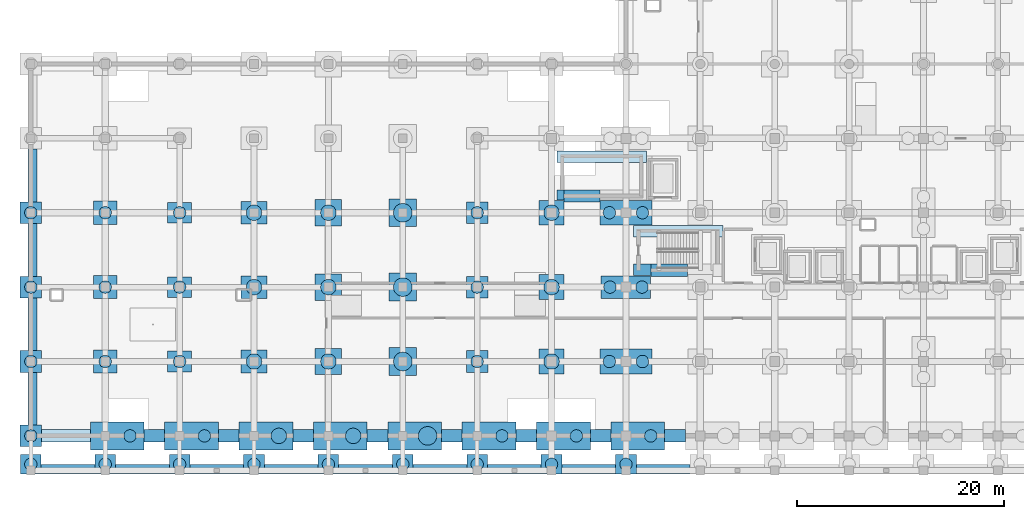
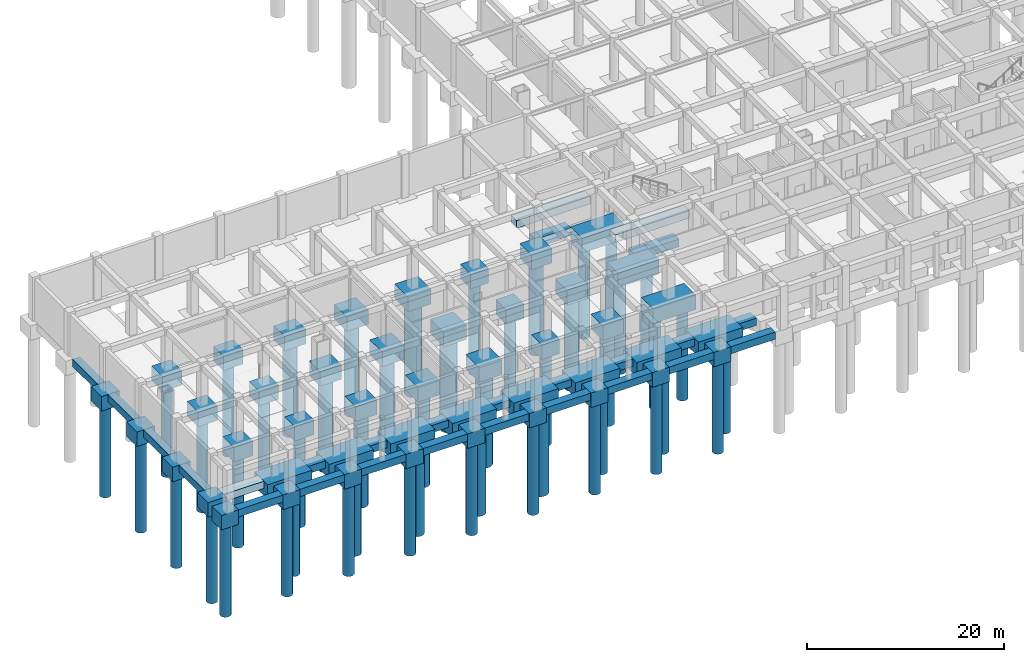
# One storey, part 1 of 26: 73 footings, 48 piles.
"""IFC4 building model written with IfcOpenShell, lengths in metres."""

from ifc_helpers import new_model, si_unit, direction, frame, origin, origin_2d, place, context, subcontext, project, spatial, polyline, rectangle, circle, outline, extrude, material, material_profile, profile_set, type_object, element, save


model = new_model("IFC4")

# Units and contexts
model_context = context("Model", 3, precision=1e-05, world=origin(), true_north=direction((0.0, 1.0)))
body_context = subcontext(model_context, "Body", "Model", "MODEL_VIEW")
ifc_project = project(units=[si_unit("LENGTHUNIT", "METRE"), si_unit("AREAUNIT", "SQUARE_METRE"), si_unit("VOLUMEUNIT", "CUBIC_METRE"), si_unit("PLANEANGLEUNIT", "RADIAN"), si_unit("MASSUNIT", "GRAM", prefix="KILO")], contexts=[model_context])

# Site, building, storey
site_placement = place(None, origin())
site = spatial("IfcSite", under=ifc_project, at=site_placement, CompositionType="ELEMENT")
building_placement = place(site_placement, origin())
building = spatial("IfcBuilding", under=site, at=building_placement, Name="Kazehaya Institute of Natural Sciences", CompositionType="ELEMENT")
storey_placement = place(building_placement, frame((0.0, 0.0, -5.39990234375)))
storey = spatial("IfcBuildingStorey", under=building, at=storey_placement, Name="B1", CompositionType="ELEMENT", Elevation=-5.39990234375)

# Footings
ifc_material = material(Name="Concrete Fc36", Category="concrete")
footing_type_1 = type_object("IfcFootingType", Name="FT-PAD01", PredefinedType="PAD_FOOTING", material=ifc_material)
footing_1_placement = place(storey_placement, frame((0.0, 0.0, -0.9501953125)))
element("IfcFooting", 1, at=footing_1_placement, inside=storey, type_object=footing_type_1, Name="Core ST-1 pad footing S seg 1", PredefinedType="PAD_FOOTING", context=body_context, shape_type="SweptSolid", body=[
    extrude(outline(polyline([(64.219970703125, 22.219970703125), (67.780029296875, 22.219970703125), (67.780029296875, 23.419921875), (64.219970703125, 23.419921875), (64.219970703125, 22.219970703125)])), origin(), (0.0, 0.0, 1.0), 0.9501953125),
])
footing_2_placement = place(storey_placement, frame((0.0, 0.0, -0.9501953125)))
element("IfcFooting", 2, at=footing_2_placement, inside=storey, type_object=footing_type_1, Name="Core ST-1 pad footing S seg 3", PredefinedType="PAD_FOOTING", context=body_context, shape_type="SweptSolid", body=[
    extrude(outline(polyline([(62.52001953125, 22.320068359375), (64.219970703125, 22.320068359375), (64.219970703125, 23.419921875), (62.52001953125, 23.419921875), (62.52001953125, 22.320068359375)])), origin(), (0.0, 0.0, 1.0), 0.9501953125),
])
footing_3_placement = place(storey_placement, frame((0.0, 0.0, -0.9501953125)))
element("IfcFooting", 3, at=footing_3_placement, inside=storey, type_object=footing_type_1, Name="Core ST-1 pad footing N", PredefinedType="PAD_FOOTING", context=body_context, shape_type="SweptSolid", body=[
    extrude(outline(polyline([(62.52001953125, 26.06005859375), (71.179931640625, 26.06005859375), (71.179931640625, 27.179931640625), (62.52001953125, 27.179931640625), (62.52001953125, 26.06005859375)])), origin(), (0.0, 0.0, 1.0), 0.9501953125),
])
footing_4_placement = place(storey_placement, frame((0.0, 0.0, -0.9501953125)))
element("IfcFooting", 4, at=footing_4_placement, inside=storey, type_object=footing_type_1, Name="Core ST-4 pad footing S seg 1", PredefinedType="PAD_FOOTING", context=body_context, shape_type="SweptSolid", body=[
    extrude(outline(polyline([(55.820068359375, 29.419921875), (59.280029296875, 29.419921875), (59.280029296875, 30.6201171875), (55.820068359375, 30.6201171875), (55.820068359375, 29.419921875)])), origin(), (0.0, 0.0, 1.0), 0.9501953125),
])
footing_5_placement = place(storey_placement, frame((0.0, 0.0, -0.9501953125)))
element("IfcFooting", 5, at=footing_5_placement, inside=storey, type_object=footing_type_1, Name="Core ST-4 pad footing S seg 2", PredefinedType="PAD_FOOTING", context=body_context, shape_type="SweptSolid", body=[
    extrude(outline(polyline([(55.1201171875, 29.6201171875), (55.820068359375, 29.6201171875), (55.820068359375, 30.6201171875), (55.1201171875, 30.6201171875), (55.1201171875, 29.6201171875)])), origin(), (0.0, 0.0, 1.0), 0.9501953125),
])
footing_6_placement = place(storey_placement, frame((0.0, 0.0, -0.9501953125)))
element("IfcFooting", 6, at=footing_6_placement, inside=storey, type_object=footing_type_1, Name="Core ST-4 pad footing N", PredefinedType="PAD_FOOTING", context=body_context, shape_type="SweptSolid", body=[
    extrude(outline(polyline([(55.1201171875, 33.260009765625), (63.780029296875, 33.260009765625), (63.780029296875, 34.3798828125), (55.1201171875, 34.3798828125), (55.1201171875, 33.260009765625)])), origin(), (0.0, 0.0, 1.0), 0.9501953125),
])
footing_type_2 = type_object("IfcFootingType", Name="FT-PC01", PredefinedType="PILE_CAP", material=ifc_material)
for number, where, z_axis, x_axis, name in (
    (7, (4.199951171875, 6.800048828125, -1.80029296875), (0.0, 0.0, 1.0), (1.0, 0.0, 0.0), "Pile cap CAP-025"),
    (8, (4.199951171875, 14.0, -1.80029296875), (0.0, 0.0, 1.0), (1.0, 0.0, 0.0), "Pile cap CAP-049"),
    (9, (47.39990234375, 14.0, -1.80029296875), (0.0, 0.0, 1.0), (1.0, 0.0, 0.0), "Pile cap CAP-055"),
    (10, (4.199951171875, 21.199951171875, -1.80029296875), (0.0, 0.0, 1.0), (1.0, 0.0, 0.0), "Pile cap CAP-073"),
    (11, (47.39990234375, 21.199951171875, -1.80029296875), (0.0, 0.0, 1.0), (1.0, 0.0, 0.0), "Pile cap CAP-079"),
    (12, (4.199951171875, 28.39990234375, -1.80029296875), (0.0, 0.0, 1.0), (1.0, 0.0, 0.0), "Pile cap CAP-097"),
    (13, (47.39990234375, 28.39990234375, -1.80029296875), (0.0, 0.0, 1.0), (1.0, 0.0, 0.0), "Pile cap CAP-103"),
):
    element("IfcFooting", number, at=place(storey_placement, frame(where, z_axis=z_axis, x_axis=x_axis)), inside=storey, type_object=footing_type_2, Name=name, PredefinedType="PILE_CAP", context=body_context, shape_type="SweptSolid", body=[
        extrude(rectangle(XDim=2.10009765625, YDim=2.10009765625, at=origin_2d()), origin(), (0.0, 0.0, 1.0), 1.800048828125),
    ])
footing_type_3 = type_object("IfcFootingType", Name="FT-PC02", PredefinedType="PILE_CAP", material=ifc_material)
for number, where, z_axis, x_axis, name in (
    (14, (54.60009765625, 14.0, -1.80029296875), (0.0, 0.0, 1.0), (1.0, 0.0, 0.0), "Pile cap CAP-056"),
    (15, (54.60009765625, 21.199951171875, -1.80029296875), (0.0, 0.0, 1.0), (1.0, 0.0, 0.0), "Pile cap CAP-080"),
    (16, (54.60009765625, 28.39990234375, -1.80029296875), (0.0, 0.0, 1.0), (1.0, 0.0, 0.0), "Pile cap CAP-104"),
):
    element("IfcFooting", number, at=place(storey_placement, frame(where, z_axis=z_axis, x_axis=x_axis)), inside=storey, type_object=footing_type_3, Name=name, PredefinedType="PILE_CAP", context=body_context, shape_type="SweptSolid", body=[
        extrude(rectangle(XDim=2.39990234375, YDim=2.39990234375, at=origin_2d()), origin(), (0.0, 0.0, 1.0), 1.800048828125),
    ])
footing_type_4 = type_object("IfcFootingType", Name="FT-PC03", PredefinedType="PILE_CAP", material=ifc_material)
footing_7_placement = place(storey_placement, frame((61.800048828125, 21.199951171875, -1.80029296875), z_axis=(0.0, 0.0, 1.0), x_axis=(1.0, 0.0, 0.0)))
element("IfcFooting", 17, at=footing_7_placement, inside=storey, type_object=footing_type_4, Name="Pile cap CAP-081", PredefinedType="PILE_CAP", context=body_context, shape_type="SweptSolid", body=[
    extrude(rectangle(XDim=4.800048828125, YDim=2.199951171875, at=origin_2d()), origin(), (0.0, 0.0, 1.0), 1.800048828125),
])
footing_type_5 = type_object("IfcFootingType", Name="FT-PC05", PredefinedType="PILE_CAP", material=ifc_material)
for number, where, z_axis, x_axis, name in (
    (18, (4.199951171875, 4.050048828125, -1.80029296875), (0.0, 0.0, 1.0), (1.0, 0.0, 0.0), "Pile cap CAP-001"),
    (19, (11.39990234375, 4.050048828125, -1.80029296875), (0.0, 0.0, 1.0), (1.0, 0.0, 0.0), "Pile cap CAP-002"),
    (20, (18.60009765625, 4.050048828125, -1.80029296875), (0.0, 0.0, 1.0), (1.0, 0.0, 0.0), "Pile cap CAP-003"),
    (21, (25.800048828125, 4.050048828125, -1.80029296875), (0.0, 0.0, 1.0), (1.0, 0.0, 0.0), "Pile cap CAP-004"),
    (22, (33.0, 4.050048828125, -1.80029296875), (0.0, 0.0, 1.0), (1.0, 0.0, 0.0), "Pile cap CAP-005"),
    (23, (40.199951171875, 4.050048828125, -1.80029296875), (0.0, 0.0, 1.0), (1.0, 0.0, 0.0), "Pile cap CAP-006"),
    (24, (47.39990234375, 4.050048828125, -1.80029296875), (0.0, 0.0, 1.0), (1.0, 0.0, 0.0), "Pile cap CAP-007"),
    (25, (54.60009765625, 4.050048828125, -1.80029296875), (0.0, 0.0, 1.0), (1.0, 0.0, 0.0), "Pile cap CAP-008"),
    (26, (61.800048828125, 4.050048828125, -1.80029296875), (0.0, 0.0, 1.0), (1.0, 0.0, 0.0), "Pile cap CAP-009"),
):
    element("IfcFooting", number, at=place(storey_placement, frame(where, z_axis=z_axis, x_axis=x_axis)), inside=storey, type_object=footing_type_5, Name=name, PredefinedType="PILE_CAP", context=body_context, shape_type="SweptSolid", body=[
        extrude(rectangle(XDim=2.0, YDim=1.89990234375, at=origin_2d()), origin(), (0.0, 0.0, 1.0), 1.800048828125),
    ])
footing_type_6 = type_object("IfcFootingType", Name="FT-PC06", PredefinedType="PILE_CAP", material=ifc_material)
for number, where, z_axis, x_axis, name in (
    (27, (11.39990234375, 14.0, -1.80029296875), (0.0, 0.0, 1.0), (1.0, 0.0, 0.0), "Pile cap CAP-050"),
    (28, (11.39990234375, 21.199951171875, -1.80029296875), (0.0, 0.0, 1.0), (1.0, 0.0, 0.0), "Pile cap CAP-074"),
    (29, (11.39990234375, 28.39990234375, -1.80029296875), (0.0, 0.0, 1.0), (1.0, 0.0, 0.0), "Pile cap CAP-098"),
):
    element("IfcFooting", number, at=place(storey_placement, frame(where, z_axis=z_axis, x_axis=x_axis)), inside=storey, type_object=footing_type_6, Name=name, PredefinedType="PILE_CAP", context=body_context, shape_type="SweptSolid", body=[
        extrude(rectangle(XDim=2.25, YDim=2.25, at=origin_2d()), origin(), (0.0, 0.0, 1.0), 1.800048828125),
    ])
footing_type_7 = type_object("IfcFootingType", Name="FT-PC07", PredefinedType="PILE_CAP", material=ifc_material)
for number, where, z_axis, x_axis, name in (
    (30, (33.0, 14.0, -1.80029296875), (0.0, 0.0, 1.0), (1.0, 0.0, 0.0), "Pile cap CAP-053"),
    (31, (33.0, 21.199951171875, -1.80029296875), (0.0, 0.0, 1.0), (1.0, 0.0, 0.0), "Pile cap CAP-077"),
    (32, (33.0, 28.39990234375, -1.80029296875), (0.0, 0.0, 1.0), (1.0, 0.0, 0.0), "Pile cap CAP-101"),
):
    element("IfcFooting", number, at=place(storey_placement, frame(where, z_axis=z_axis, x_axis=x_axis)), inside=storey, type_object=footing_type_7, Name=name, PredefinedType="PILE_CAP", context=body_context, shape_type="SweptSolid", body=[
        extrude(rectangle(XDim=2.550048828125, YDim=2.550048828125, at=origin_2d()), origin(), (0.0, 0.0, 1.0), 1.800048828125),
    ])
footing_type_8 = type_object("IfcFootingType", Name="FT-PC08", PredefinedType="PILE_CAP", material=ifc_material)
for number, where, z_axis, x_axis, name in (
    (33, (40.199951171875, 14.0, -1.80029296875), (0.0, 0.0, 1.0), (1.0, 0.0, 0.0), "Pile cap CAP-054"),
    (34, (40.199951171875, 21.199951171875, -1.80029296875), (0.0, 0.0, 1.0), (1.0, 0.0, 0.0), "Pile cap CAP-078"),
    (35, (40.199951171875, 28.39990234375, -1.80029296875), (0.0, 0.0, 1.0), (1.0, 0.0, 0.0), "Pile cap CAP-102"),
):
    element("IfcFooting", number, at=place(storey_placement, frame(where, z_axis=z_axis, x_axis=x_axis)), inside=storey, type_object=footing_type_8, Name=name, PredefinedType="PILE_CAP", context=body_context, shape_type="SweptSolid", body=[
        extrude(rectangle(XDim=2.699951171875, YDim=2.699951171875, at=origin_2d()), origin(), (0.0, 0.0, 1.0), 1.800048828125),
    ])
footing_type_9 = type_object("IfcFootingType", Name="FT-PC10", PredefinedType="PILE_CAP", material=ifc_material)
for number, where, z_axis, x_axis, name in (
    (36, (12.550048828125, 6.800048828125, -1.80029296875), (0.0, 0.0, 1.0), (1.0, 0.0, 0.0), "Pile cap CAP-026"),
    (37, (19.75, 6.800048828125, -1.80029296875), (0.0, 0.0, 1.0), (1.0, 0.0, 0.0), "Pile cap CAP-027"),
    (38, (26.949951171875, 6.800048828125, -1.80029296875), (0.0, 0.0, 1.0), (1.0, 0.0, 0.0), "Pile cap CAP-028"),
    (39, (34.14990234375, 6.800048828125, -1.80029296875), (0.0, 0.0, 1.0), (1.0, 0.0, 0.0), "Pile cap CAP-029"),
    (40, (41.35009765625, 6.800048828125, -1.80029296875), (0.0, 0.0, 1.0), (1.0, 0.0, 0.0), "Pile cap CAP-030"),
    (41, (48.550048828125, 6.800048828125, -1.80029296875), (0.0, 0.0, 1.0), (1.0, 0.0, 0.0), "Pile cap CAP-031"),
    (42, (55.75, 6.800048828125, -1.80029296875), (0.0, 0.0, 1.0), (1.0, 0.0, 0.0), "Pile cap CAP-032"),
    (43, (62.949951171875, 6.800048828125, -1.80029296875), (0.0, 0.0, 1.0), (1.0, 0.0, 0.0), "Pile cap CAP-033"),
):
    element("IfcFooting", number, at=place(storey_placement, frame(where, z_axis=z_axis, x_axis=x_axis)), inside=storey, type_object=footing_type_9, Name=name, PredefinedType="PILE_CAP", context=body_context, shape_type="SweptSolid", body=[
        extrude(rectangle(XDim=5.199951171875, YDim=2.699951171875, at=origin_2d()), origin(), (0.0, 0.0, 1.0), 1.800048828125),
    ])
for number, where, z_axis, x_axis, name in (
    (44, (61.800048828125, 14.0, -1.80029296875), (0.0, 0.0, 1.0), (1.0, 0.0, 0.0), "Pile cap CAP-057"),
    (45, (61.800048828125, 28.39990234375, -1.80029296875), (0.0, 0.0, 1.0), (1.0, 0.0, 0.0), "Pile cap CAP-105"),
):
    element("IfcFooting", number, at=place(storey_placement, frame(where, z_axis=z_axis, x_axis=x_axis)), inside=storey, type_object=footing_type_9, Name=name, PredefinedType="PILE_CAP", context=body_context, shape_type="SweptSolid", body=[
        extrude(rectangle(XDim=5.0, YDim=2.39990234375, at=origin_2d()), origin(), (0.0, 0.0, 1.0), 1.800048828125),
    ])
footing_type_10 = type_object("IfcFootingType", Name="FT-PC11", PredefinedType="PILE_CAP", material=ifc_material)
for number, where, z_axis, x_axis, name in (
    (46, (18.60009765625, 14.0, -1.80029296875), (0.0, 0.0, 1.0), (1.0, 0.0, 0.0), "Pile cap CAP-051"),
    (47, (18.60009765625, 21.199951171875, -1.80029296875), (0.0, 0.0, 1.0), (1.0, 0.0, 0.0), "Pile cap CAP-075"),
    (48, (18.60009765625, 28.39990234375, -1.80029296875), (0.0, 0.0, 1.0), (1.0, 0.0, 0.0), "Pile cap CAP-099"),
):
    element("IfcFooting", number, at=place(storey_placement, frame(where, z_axis=z_axis, x_axis=x_axis)), inside=storey, type_object=footing_type_10, Name=name, PredefinedType="PILE_CAP", context=body_context, shape_type="SweptSolid", body=[
        extrude(rectangle(XDim=2.300048828125, YDim=2.0, at=origin_2d()), origin(), (0.0, 0.0, 1.0), 1.800048828125),
    ])
footing_type_11 = type_object("IfcFootingType", Name="FT-PC12", PredefinedType="PILE_CAP", material=ifc_material)
for number, where, z_axis, x_axis, name in (
    (49, (25.800048828125, 14.0, -1.80029296875), (0.0, 0.0, 1.0), (1.0, 0.0, 0.0), "Pile cap CAP-052"),
    (50, (25.800048828125, 21.199951171875, -1.80029296875), (0.0, 0.0, 1.0), (1.0, 0.0, 0.0), "Pile cap CAP-076"),
    (51, (25.800048828125, 28.39990234375, -1.80029296875), (0.0, 0.0, 1.0), (1.0, 0.0, 0.0), "Pile cap CAP-100"),
):
    element("IfcFooting", number, at=place(storey_placement, frame(where, z_axis=z_axis, x_axis=x_axis)), inside=storey, type_object=footing_type_11, Name=name, PredefinedType="PILE_CAP", context=body_context, shape_type="SweptSolid", body=[
        extrude(rectangle(XDim=2.5, YDim=2.199951171875, at=origin_2d()), origin(), (0.0, 0.0, 1.0), 1.800048828125),
    ])
footing_type_12 = type_object("IfcFootingType", Name="FT-SF01", PredefinedType="STRIP_FOOTING", material=ifc_material)
footing_8_placement = place(storey_placement, frame((0.0, 0.0, -0.900146484375)))
element("IfcFooting", 52, at=footing_8_placement, inside=storey, type_object=footing_type_12, Name="Perimeter strip footing SF-001", PredefinedType="STRIP_FOOTING", context=body_context, shape_type="SweptSolid", body=[
    extrude(outline(polyline([(5.199951171875, 3.1201171875), (10.39990234375, 3.1201171875), (10.39990234375, 4.050048828125), (5.199951171875, 4.050048828125), (5.199951171875, 3.1201171875)])), origin(), (0.0, 0.0, 1.0), 0.900146484375),
])
footing_9_placement = place(storey_placement, frame((0.0, 0.0, -0.900146484375)))
element("IfcFooting", 53, at=footing_9_placement, inside=storey, type_object=footing_type_12, Name="Perimeter strip footing SF-002", PredefinedType="STRIP_FOOTING", context=body_context, shape_type="SweptSolid", body=[
    extrude(outline(polyline([(12.39990234375, 3.1201171875), (17.60009765625, 3.1201171875), (17.60009765625, 4.050048828125), (12.39990234375, 4.050048828125), (12.39990234375, 3.1201171875)])), origin(), (0.0, 0.0, 1.0), 0.900146484375),
])
footing_10_placement = place(storey_placement, frame((0.0, 0.0, -0.900146484375)))
element("IfcFooting", 54, at=footing_10_placement, inside=storey, type_object=footing_type_12, Name="Perimeter strip footing SF-003", PredefinedType="STRIP_FOOTING", context=body_context, shape_type="SweptSolid", body=[
    extrude(outline(polyline([(19.60009765625, 3.1201171875), (24.800048828125, 3.1201171875), (24.800048828125, 4.050048828125), (19.60009765625, 4.050048828125), (19.60009765625, 3.1201171875)])), origin(), (0.0, 0.0, 1.0), 0.900146484375),
])
footing_11_placement = place(storey_placement, frame((0.0, 0.0, -0.900146484375)))
element("IfcFooting", 55, at=footing_11_placement, inside=storey, type_object=footing_type_12, Name="Perimeter strip footing SF-004", PredefinedType="STRIP_FOOTING", context=body_context, shape_type="SweptSolid", body=[
    extrude(outline(polyline([(26.800048828125, 3.1201171875), (32.0, 3.1201171875), (32.0, 4.050048828125), (26.800048828125, 4.050048828125), (26.800048828125, 3.1201171875)])), origin(), (0.0, 0.0, 1.0), 0.900146484375),
])
footing_12_placement = place(storey_placement, frame((0.0, 0.0, -0.900146484375)))
element("IfcFooting", 56, at=footing_12_placement, inside=storey, type_object=footing_type_12, Name="Perimeter strip footing SF-005", PredefinedType="STRIP_FOOTING", context=body_context, shape_type="SweptSolid", body=[
    extrude(outline(polyline([(34.0, 3.1201171875), (39.199951171875, 3.1201171875), (39.199951171875, 4.050048828125), (34.0, 4.050048828125), (34.0, 3.1201171875)])), origin(), (0.0, 0.0, 1.0), 0.900146484375),
])
footing_13_placement = place(storey_placement, frame((0.0, 0.0, -0.900146484375)))
element("IfcFooting", 57, at=footing_13_placement, inside=storey, type_object=footing_type_12, Name="Perimeter strip footing SF-006", PredefinedType="STRIP_FOOTING", context=body_context, shape_type="SweptSolid", body=[
    extrude(outline(polyline([(41.199951171875, 3.1201171875), (46.39990234375, 3.1201171875), (46.39990234375, 4.050048828125), (41.199951171875, 4.050048828125), (41.199951171875, 3.1201171875)])), origin(), (0.0, 0.0, 1.0), 0.900146484375),
])
footing_14_placement = place(storey_placement, frame((0.0, 0.0, -0.900146484375)))
element("IfcFooting", 58, at=footing_14_placement, inside=storey, type_object=footing_type_12, Name="Perimeter strip footing SF-007", PredefinedType="STRIP_FOOTING", context=body_context, shape_type="SweptSolid", body=[
    extrude(outline(polyline([(48.39990234375, 3.1201171875), (53.60009765625, 3.1201171875), (53.60009765625, 4.050048828125), (48.39990234375, 4.050048828125), (48.39990234375, 3.1201171875)])), origin(), (0.0, 0.0, 1.0), 0.900146484375),
])
footing_15_placement = place(storey_placement, frame((0.0, 0.0, -0.900146484375)))
element("IfcFooting", 59, at=footing_15_placement, inside=storey, type_object=footing_type_12, Name="Perimeter strip footing SF-008", PredefinedType="STRIP_FOOTING", context=body_context, shape_type="SweptSolid", body=[
    extrude(outline(polyline([(55.60009765625, 3.1201171875), (60.800048828125, 3.1201171875), (60.800048828125, 4.050048828125), (55.60009765625, 4.050048828125), (55.60009765625, 3.1201171875)])), origin(), (0.0, 0.0, 1.0), 0.900146484375),
])
footing_16_placement = place(storey_placement, frame((0.0, 0.0, -0.900146484375)))
element("IfcFooting", 60, at=footing_16_placement, inside=storey, type_object=footing_type_12, Name="Perimeter strip footing SF-009", PredefinedType="STRIP_FOOTING", context=body_context, shape_type="SweptSolid", body=[
    extrude(outline(polyline([(62.800048828125, 3.1201171875), (68.0, 3.1201171875), (68.0, 4.050048828125), (62.800048828125, 4.050048828125), (62.800048828125, 3.1201171875)])), origin(), (0.0, 0.0, 1.0), 0.900146484375),
])
footing_17_placement = place(storey_placement, frame((0.0, 0.0, -0.900146484375)))
element("IfcFooting", 61, at=footing_17_placement, inside=storey, type_object=footing_type_12, Name="Perimeter strip footing SF-024", PredefinedType="STRIP_FOOTING", context=body_context, shape_type="SweptSolid", body=[
    extrude(outline(polyline([(5.25, 6.199951171875), (9.949951171875, 6.199951171875), (9.949951171875, 7.39990234375), (5.25, 7.39990234375), (5.25, 6.199951171875)])), origin(), (0.0, 0.0, 1.0), 0.900146484375),
])
footing_18_placement = place(storey_placement, frame((0.0, 0.0, -0.900146484375)))
element("IfcFooting", 62, at=footing_18_placement, inside=storey, type_object=footing_type_12, Name="Perimeter strip footing SF-025", PredefinedType="STRIP_FOOTING", context=body_context, shape_type="SweptSolid", body=[
    extrude(outline(polyline([(15.14990234375, 6.199951171875), (17.14990234375, 6.199951171875), (17.14990234375, 7.39990234375), (15.14990234375, 7.39990234375), (15.14990234375, 6.199951171875)])), origin(), (0.0, 0.0, 1.0), 0.900146484375),
])
footing_19_placement = place(storey_placement, frame((0.0, 0.0, -0.900146484375)))
element("IfcFooting", 63, at=footing_19_placement, inside=storey, type_object=footing_type_12, Name="Perimeter strip footing SF-026", PredefinedType="STRIP_FOOTING", context=body_context, shape_type="SweptSolid", body=[
    extrude(outline(polyline([(22.35009765625, 6.199951171875), (24.35009765625, 6.199951171875), (24.35009765625, 7.39990234375), (22.35009765625, 7.39990234375), (22.35009765625, 6.199951171875)])), origin(), (0.0, 0.0, 1.0), 0.900146484375),
])
footing_20_placement = place(storey_placement, frame((0.0, 0.0, -0.900146484375)))
element("IfcFooting", 64, at=footing_20_placement, inside=storey, type_object=footing_type_12, Name="Perimeter strip footing SF-027", PredefinedType="STRIP_FOOTING", context=body_context, shape_type="SweptSolid", body=[
    extrude(outline(polyline([(29.550048828125, 6.199951171875), (31.550048828125, 6.199951171875), (31.550048828125, 7.39990234375), (29.550048828125, 7.39990234375), (29.550048828125, 6.199951171875)])), origin(), (0.0, 0.0, 1.0), 0.900146484375),
])
footing_21_placement = place(storey_placement, frame((0.0, 0.0, -0.900146484375)))
element("IfcFooting", 65, at=footing_21_placement, inside=storey, type_object=footing_type_12, Name="Perimeter strip footing SF-028", PredefinedType="STRIP_FOOTING", context=body_context, shape_type="SweptSolid", body=[
    extrude(outline(polyline([(36.75, 6.199951171875), (38.75, 6.199951171875), (38.75, 7.39990234375), (36.75, 7.39990234375), (36.75, 6.199951171875)])), origin(), (0.0, 0.0, 1.0), 0.900146484375),
])
footing_22_placement = place(storey_placement, frame((0.0, 0.0, -0.900146484375)))
element("IfcFooting", 66, at=footing_22_placement, inside=storey, type_object=footing_type_12, Name="Perimeter strip footing SF-029", PredefinedType="STRIP_FOOTING", context=body_context, shape_type="SweptSolid", body=[
    extrude(outline(polyline([(43.949951171875, 6.199951171875), (45.949951171875, 6.199951171875), (45.949951171875, 7.39990234375), (43.949951171875, 7.39990234375), (43.949951171875, 6.199951171875)])), origin(), (0.0, 0.0, 1.0), 0.900146484375),
])
footing_23_placement = place(storey_placement, frame((0.0, 0.0, -0.900146484375)))
element("IfcFooting", 67, at=footing_23_placement, inside=storey, type_object=footing_type_12, Name="Perimeter strip footing SF-030", PredefinedType="STRIP_FOOTING", context=body_context, shape_type="SweptSolid", body=[
    extrude(outline(polyline([(51.14990234375, 6.199951171875), (53.14990234375, 6.199951171875), (53.14990234375, 7.39990234375), (51.14990234375, 7.39990234375), (51.14990234375, 6.199951171875)])), origin(), (0.0, 0.0, 1.0), 0.900146484375),
])
footing_24_placement = place(storey_placement, frame((0.0, 0.0, -0.900146484375)))
element("IfcFooting", 68, at=footing_24_placement, inside=storey, type_object=footing_type_12, Name="Perimeter strip footing SF-031", PredefinedType="STRIP_FOOTING", context=body_context, shape_type="SweptSolid", body=[
    extrude(outline(polyline([(58.35009765625, 6.199951171875), (60.35009765625, 6.199951171875), (60.35009765625, 7.39990234375), (58.35009765625, 7.39990234375), (58.35009765625, 6.199951171875)])), origin(), (0.0, 0.0, 1.0), 0.900146484375),
])
footing_25_placement = place(storey_placement, frame((0.0, 0.0, -0.900146484375)))
element("IfcFooting", 69, at=footing_25_placement, inside=storey, type_object=footing_type_12, Name="Perimeter strip footing SF-032", PredefinedType="STRIP_FOOTING", context=body_context, shape_type="SweptSolid", body=[
    extrude(outline(polyline([(65.550048828125, 6.199951171875), (67.550048828125, 6.199951171875), (67.550048828125, 7.39990234375), (65.550048828125, 7.39990234375), (65.550048828125, 6.199951171875)])), origin(), (0.0, 0.0, 1.0), 0.900146484375),
])
footing_26_placement = place(storey_placement, frame((0.0, 0.0, -0.900146484375)))
element("IfcFooting", 70, at=footing_26_placement, inside=storey, type_object=footing_type_12, Name="Perimeter strip footing SF-047", PredefinedType="STRIP_FOOTING", context=body_context, shape_type="SweptSolid", body=[
    extrude(outline(polyline([(3.919921875, 7.85009765625), (4.800048828125, 7.85009765625), (4.800048828125, 12.949951171875), (3.919921875, 12.949951171875), (3.919921875, 7.85009765625)])), origin(), (0.0, 0.0, 1.0), 0.900146484375),
])
footing_27_placement = place(storey_placement, frame((0.0, 0.0, -0.900146484375)))
element("IfcFooting", 71, at=footing_27_placement, inside=storey, type_object=footing_type_12, Name="Perimeter strip footing SF-048", PredefinedType="STRIP_FOOTING", context=body_context, shape_type="SweptSolid", body=[
    extrude(outline(polyline([(3.919921875, 15.050048828125), (4.800048828125, 15.050048828125), (4.800048828125, 20.14990234375), (3.919921875, 20.14990234375), (3.919921875, 15.050048828125)])), origin(), (0.0, 0.0, 1.0), 0.900146484375),
])
footing_28_placement = place(storey_placement, frame((0.0, 0.0, -0.900146484375)))
element("IfcFooting", 72, at=footing_28_placement, inside=storey, type_object=footing_type_12, Name="Perimeter strip footing SF-049", PredefinedType="STRIP_FOOTING", context=body_context, shape_type="SweptSolid", body=[
    extrude(outline(polyline([(3.919921875, 22.25), (4.800048828125, 22.25), (4.800048828125, 27.35009765625), (3.919921875, 27.35009765625), (3.919921875, 22.25)])), origin(), (0.0, 0.0, 1.0), 0.900146484375),
])
footing_29_placement = place(storey_placement, frame((0.0, 0.0, -0.900146484375)))
element("IfcFooting", 73, at=footing_29_placement, inside=storey, type_object=footing_type_12, Name="Perimeter strip footing SF-050", PredefinedType="STRIP_FOOTING", context=body_context, shape_type="SweptSolid", body=[
    extrude(outline(polyline([(3.919921875, 29.449951171875), (4.800048828125, 29.449951171875), (4.800048828125, 34.550048828125), (3.919921875, 34.550048828125), (3.919921875, 29.449951171875)])), origin(), (0.0, 0.0, 1.0), 0.900146484375),
])

# Piles
ifc_material_profile_1 = material_profile(ifc_material, circle(Radius=0.60009765625, at=origin_2d()), Name="PILE-1200")
ifc_profile_set_1 = profile_set([ifc_material_profile_1], Name="Concrete Fc36")
pile_type_1 = type_object("IfcPileType", Name="PILE-1200", PredefinedType="BORED", material=ifc_profile_set_1)
for number, where, z_axis, x_axis, name in (
    (74, (4.199951171875, 4.050048828125, -1.7001953125), (0.0, 0.0, -1.0), (1.0, 0.0, 0.0), "Bored pile CAP-001-P1"),
    (75, (11.39990234375, 4.050048828125, -1.7001953125), (0.0, 0.0, -1.0), (1.0, 0.0, 0.0), "Bored pile CAP-002-P1"),
    (76, (18.60009765625, 4.050048828125, -1.7001953125), (0.0, 0.0, -1.0), (1.0, 0.0, 0.0), "Bored pile CAP-003-P1"),
    (77, (25.800048828125, 4.050048828125, -1.7001953125), (0.0, 0.0, -1.0), (1.0, 0.0, 0.0), "Bored pile CAP-004-P1"),
    (78, (33.0, 4.050048828125, -1.7001953125), (0.0, 0.0, -1.0), (1.0, 0.0, 0.0), "Bored pile CAP-005-P1"),
    (79, (40.199951171875, 4.050048828125, -1.7001953125), (0.0, 0.0, -1.0), (1.0, 0.0, 0.0), "Bored pile CAP-006-P1"),
    (80, (47.39990234375, 4.050048828125, -1.7001953125), (0.0, 0.0, -1.0), (1.0, 0.0, 0.0), "Bored pile CAP-007-P1"),
    (81, (54.60009765625, 4.050048828125, -1.7001953125), (0.0, 0.0, -1.0), (1.0, 0.0, 0.0), "Bored pile CAP-008-P1"),
    (82, (61.800048828125, 4.050048828125, -1.7001953125), (0.0, 0.0, -1.0), (1.0, 0.0, 0.0), "Bored pile CAP-009-P1"),
    (83, (4.199951171875, 6.800048828125, -1.7001953125), (0.0, 0.0, -1.0), (1.0, 0.0, 0.0), "Bored pile CAP-025-P1"),
    (84, (13.800048828125, 6.800048828125, -1.7001953125), (0.0, 0.0, -1.0), (1.0, 0.0, 0.0), "Bored pile CAP-026-P1"),
    (85, (21.0, 6.800048828125, -1.7001953125), (0.0, 0.0, -1.0), (1.0, 0.0, 0.0), "Bored pile CAP-027-P1"),
    (86, (49.800048828125, 6.800048828125, -1.7001953125), (0.0, 0.0, -1.0), (1.0, 0.0, 0.0), "Bored pile CAP-031-P1"),
    (87, (57.0, 6.800048828125, -1.7001953125), (0.0, 0.0, -1.0), (1.0, 0.0, 0.0), "Bored pile CAP-032-P1"),
    (88, (64.199951171875, 6.800048828125, -1.7001953125), (0.0, 0.0, -1.0), (1.0, 0.0, 0.0), "Bored pile CAP-033-P1"),
    (89, (4.199951171875, 14.0, -1.7001953125), (0.0, 0.0, -1.0), (1.0, 0.0, 0.0), "Bored pile CAP-049-P1"),
    (90, (11.39990234375, 14.0, -1.7001953125), (0.0, 0.0, -1.0), (1.0, 0.0, 0.0), "Bored pile CAP-050-P1"),
    (91, (18.60009765625, 14.0, -1.7001953125), (0.0, 0.0, -1.0), (1.0, 0.0, 0.0), "Bored pile CAP-051-P1"),
    (92, (47.39990234375, 14.0, -1.7001953125), (0.0, 0.0, -1.0), (1.0, 0.0, 0.0), "Bored pile CAP-055-P1"),
    (93, (60.199951171875, 14.0, -1.7001953125), (0.0, 0.0, -1.0), (1.0, 0.0, 0.0), "Bored pile CAP-057-P1"),
    (94, (63.39990234375, 14.0, -1.7001953125), (0.0, 0.0, -1.0), (1.0, 0.0, 0.0), "Bored pile CAP-057-P2"),
    (95, (4.199951171875, 21.199951171875, -1.7001953125), (0.0, 0.0, -1.0), (1.0, 0.0, 0.0), "Bored pile CAP-073-P1"),
    (96, (11.39990234375, 21.199951171875, -1.7001953125), (0.0, 0.0, -1.0), (1.0, 0.0, 0.0), "Bored pile CAP-074-P1"),
    (97, (18.60009765625, 21.199951171875, -1.7001953125), (0.0, 0.0, -1.0), (1.0, 0.0, 0.0), "Bored pile CAP-075-P1"),
    (98, (47.39990234375, 21.199951171875, -1.7001953125), (0.0, 0.0, -1.0), (1.0, 0.0, 0.0), "Bored pile CAP-079-P1"),
    (99, (60.25, 21.199951171875, -1.7001953125), (0.0, 0.0, -1.0), (1.0, 0.0, 0.0), "Bored pile CAP-081-P1"),
    (100, (63.35009765625, 21.199951171875, -1.7001953125), (0.0, 0.0, -1.0), (1.0, 0.0, 0.0), "Bored pile CAP-081-P2"),
    (101, (4.199951171875, 28.39990234375, -1.7001953125), (0.0, 0.0, -1.0), (1.0, 0.0, 0.0), "Bored pile CAP-097-P1"),
    (102, (11.39990234375, 28.39990234375, -1.7001953125), (0.0, 0.0, -1.0), (1.0, 0.0, 0.0), "Bored pile CAP-098-P1"),
    (103, (18.60009765625, 28.39990234375, -1.7001953125), (0.0, 0.0, -1.0), (1.0, 0.0, 0.0), "Bored pile CAP-099-P1"),
    (104, (47.39990234375, 28.39990234375, -1.7001953125), (0.0, 0.0, -1.0), (1.0, 0.0, 0.0), "Bored pile CAP-103-P1"),
    (105, (60.199951171875, 28.39990234375, -1.7001953125), (0.0, 0.0, -1.0), (1.0, 0.0, 0.0), "Bored pile CAP-105-P1"),
    (106, (63.39990234375, 28.39990234375, -1.7001953125), (0.0, 0.0, -1.0), (1.0, 0.0, 0.0), "Bored pile CAP-105-P2"),
):
    element("IfcPile", number, at=place(storey_placement, frame(where, z_axis=z_axis, x_axis=x_axis)), inside=storey, type_object=pile_type_1, Name=name, PredefinedType="BORED", context=body_context, shape_type="SweptSolid", body=[
        extrude(circle(Radius=0.60009765625, at=origin_2d()), origin(), (0.0, 0.0, 1.0), 11.39990234375),
    ])
ifc_material_profile_2 = material_profile(ifc_material, circle(Radius=0.75, at=origin_2d()), Name="PILE-1500")
ifc_profile_set_2 = profile_set([ifc_material_profile_2], Name="Concrete Fc36")
pile_type_2 = type_object("IfcPileType", Name="PILE-1500", PredefinedType="BORED", material=ifc_profile_set_2)
for number, where, z_axis, x_axis, name in (
    (107, (28.199951171875, 6.800048828125, -1.7001953125), (0.0, 0.0, -1.0), (1.0, 0.0, 0.0), "Bored pile CAP-028-P1"),
    (108, (35.39990234375, 6.800048828125, -1.7001953125), (0.0, 0.0, -1.0), (1.0, 0.0, 0.0), "Bored pile CAP-029-P1"),
    (109, (25.800048828125, 14.0, -1.7001953125), (0.0, 0.0, -1.0), (1.0, 0.0, 0.0), "Bored pile CAP-052-P1"),
    (110, (33.0, 14.0, -1.7001953125), (0.0, 0.0, -1.0), (1.0, 0.0, 0.0), "Bored pile CAP-053-P1"),
    (111, (54.60009765625, 14.0, -1.7001953125), (0.0, 0.0, -1.0), (1.0, 0.0, 0.0), "Bored pile CAP-056-P1"),
    (112, (25.800048828125, 21.199951171875, -1.7001953125), (0.0, 0.0, -1.0), (1.0, 0.0, 0.0), "Bored pile CAP-076-P1"),
    (113, (33.0, 21.199951171875, -1.7001953125), (0.0, 0.0, -1.0), (1.0, 0.0, 0.0), "Bored pile CAP-077-P1"),
    (114, (54.60009765625, 21.199951171875, -1.7001953125), (0.0, 0.0, -1.0), (1.0, 0.0, 0.0), "Bored pile CAP-080-P1"),
    (115, (25.800048828125, 28.39990234375, -1.7001953125), (0.0, 0.0, -1.0), (1.0, 0.0, 0.0), "Bored pile CAP-100-P1"),
    (116, (33.0, 28.39990234375, -1.7001953125), (0.0, 0.0, -1.0), (1.0, 0.0, 0.0), "Bored pile CAP-101-P1"),
    (117, (54.60009765625, 28.39990234375, -1.7001953125), (0.0, 0.0, -1.0), (1.0, 0.0, 0.0), "Bored pile CAP-104-P1"),
):
    element("IfcPile", number, at=place(storey_placement, frame(where, z_axis=z_axis, x_axis=x_axis)), inside=storey, type_object=pile_type_2, Name=name, PredefinedType="BORED", context=body_context, shape_type="SweptSolid", body=[
        extrude(circle(Radius=0.75, at=origin_2d()), origin(), (0.0, 0.0, 1.0), 11.39990234375),
    ])
ifc_material_profile_3 = material_profile(ifc_material, circle(Radius=0.89990234375, at=origin_2d()), Name="PILE-1800")
ifc_profile_set_3 = profile_set([ifc_material_profile_3], Name="Concrete Fc36")
pile_type_3 = type_object("IfcPileType", Name="PILE-1800", PredefinedType="BORED", material=ifc_profile_set_3)
for number, where, z_axis, x_axis, name in (
    (118, (42.60009765625, 6.800048828125, -1.7001953125), (0.0, 0.0, -1.0), (1.0, 0.0, 0.0), "Bored pile CAP-030-P1"),
    (119, (40.199951171875, 14.0, -1.7001953125), (0.0, 0.0, -1.0), (1.0, 0.0, 0.0), "Bored pile CAP-054-P1"),
    (120, (40.199951171875, 21.199951171875, -1.7001953125), (0.0, 0.0, -1.0), (1.0, 0.0, 0.0), "Bored pile CAP-078-P1"),
    (121, (40.199951171875, 28.39990234375, -1.7001953125), (0.0, 0.0, -1.0), (1.0, 0.0, 0.0), "Bored pile CAP-102-P1"),
):
    element("IfcPile", number, at=place(storey_placement, frame(where, z_axis=z_axis, x_axis=x_axis)), inside=storey, type_object=pile_type_3, Name=name, PredefinedType="BORED", context=body_context, shape_type="SweptSolid", body=[
        extrude(circle(Radius=0.89990234375, at=origin_2d()), origin(), (0.0, 0.0, 1.0), 11.39990234375),
    ])

save(model, "model.ifc")
